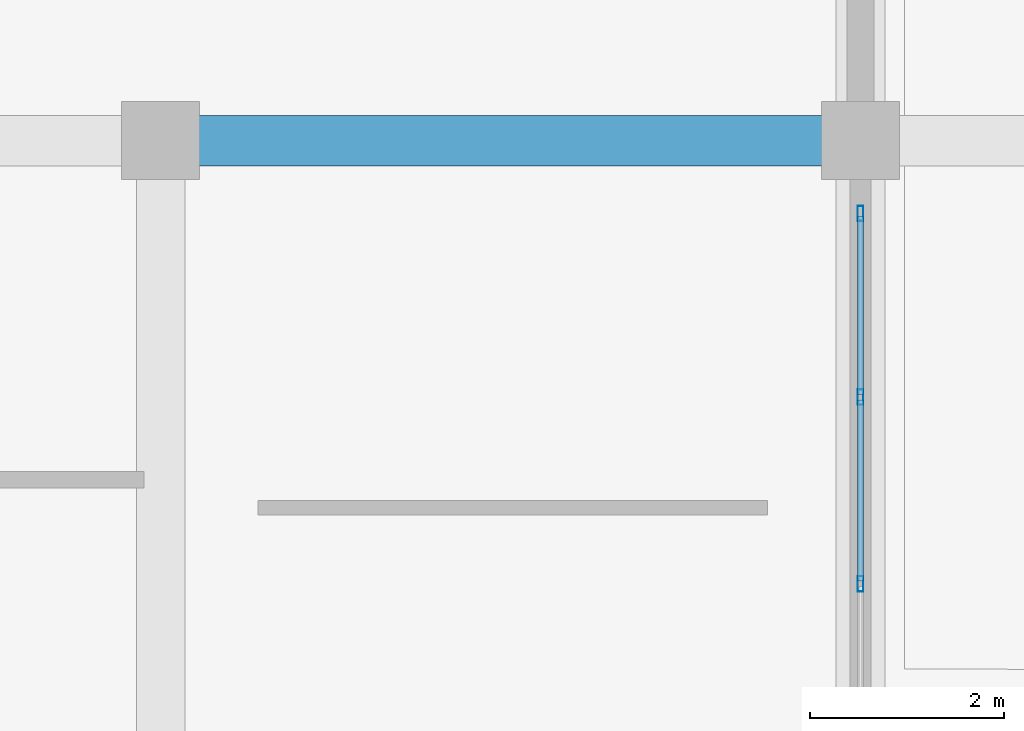
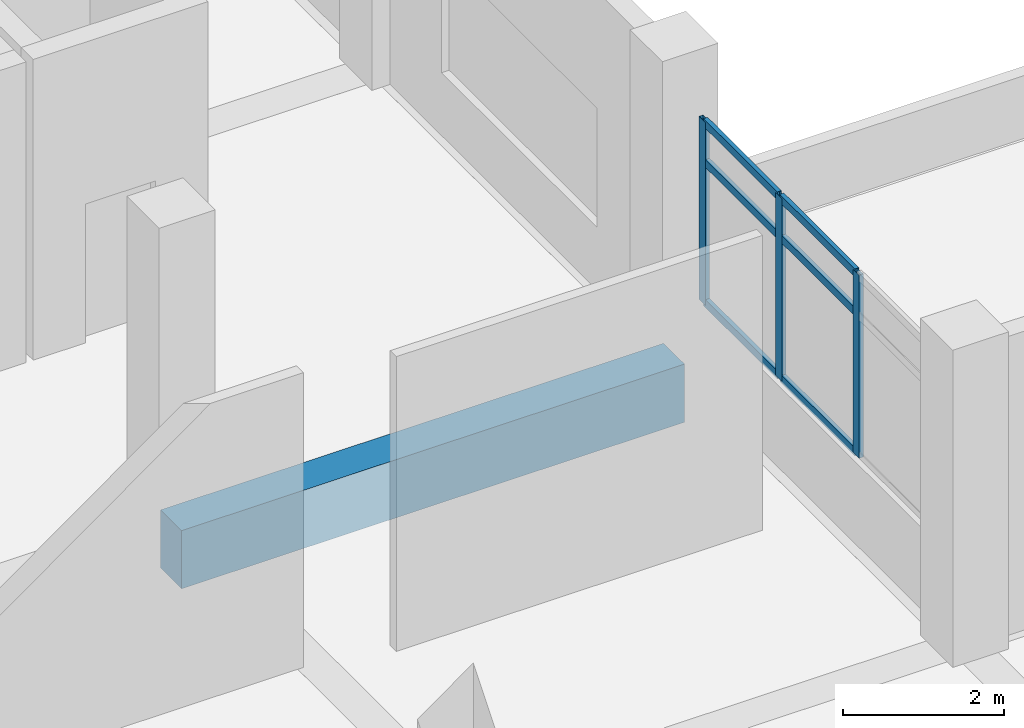
# One storey, part 48 of 140: 9 members, 1 beam, 1 element without a shape of its own.
"""IFC4 building model written with IfcOpenShell, lengths in metres."""

from ifc_helpers import new_model, si_unit, direction, frame, origin, origin_2d, place, context, subcontext, project, spatial, rectangle, hollow_rectangle, extrude, material, layer, layer_set, material_profile, profile_set, type_object, element, aggregate, save


model = new_model("IFC4")

# Units and contexts
model_context = context("Model", 3, precision=1e-05, world=origin(), true_north=direction((0.0, 1.0)))
body_context = subcontext(model_context, "Body", "Model", "MODEL_VIEW")
ifc_project = project(units=[si_unit("LENGTHUNIT", "METRE"), si_unit("AREAUNIT", "SQUARE_METRE"), si_unit("VOLUMEUNIT", "CUBIC_METRE"), si_unit("PLANEANGLEUNIT", "RADIAN"), si_unit("MASSUNIT", "GRAM", prefix="KILO")], contexts=[model_context])

# Site, building, storey
site_placement = place(None, origin())
site = spatial("IfcSite", under=ifc_project, at=site_placement, CompositionType="ELEMENT")
building_placement = place(site_placement, origin())
building = spatial("IfcBuilding", under=site, at=building_placement, Name="Seraya Terrace Polytechnic", CompositionType="ELEMENT")
storey_placement = place(building_placement, frame((0.0, 0.0, 9.60009765625)))
storey = spatial("IfcBuildingStorey", under=building, at=storey_placement, Name="L02", CompositionType="ELEMENT", Elevation=9.60009765625)

# Beam
ifc_material_1 = material(Name="Concrete C40/50", Category="concrete")
ifc_material_profile_1 = material_profile(ifc_material_1, rectangle(XDim=0.52001953125, YDim=0.8798828125, at=origin_2d()), Name="RC 520x880")
ifc_profile_set_1 = profile_set([ifc_material_profile_1], Name="Concrete C40/50")
beam_type = type_object("IfcBeamType", Name="BM-04", PredefinedType="BEAM", material=ifc_profile_set_1)
beam_placement = place(storey_placement, frame((100.800048828125, 36.0, -0.440185546875), z_axis=(1.0, 0.0, 0.0), x_axis=(0.0, 1.0, 0.0)))
element("IfcBeam", 1, at=beam_placement, inside=storey, type_object=beam_type, Name="Beam BM-04 L02 X (100.8..108.0, 36.0)", PredefinedType="BEAM", context=body_context, shape_type="SweptSolid", body=[
    extrude(rectangle(XDim=0.52001953125, YDim=0.8798828125, at=origin_2d()), origin(), (0.0, 0.0, 1.0), 7.199951171875),
])

# Curtain wall, members
ifc_material_2 = material(Name="Anodised aluminium EN AW-6063 T6", Category="aluminium")
ifc_layer = layer(ifc_material_2, 0.179931640625, Name="CW-26")
ifc_layer_set = layer_set([ifc_layer], Name="Anodised aluminium EN AW-6063 T6")
curtain_wall_type = type_object("IfcCurtainWallType", Name="CW-26", PredefinedType="NOTDEFINED", material=ifc_layer_set)
curtain_wall_placement = place(storey_placement, origin())
curtain_wall = element("IfcCurtainWall", 2, at=curtain_wall_placement, inside=storey, type_object=curtain_wall_type, Name="Unitised curtain wall CW-26 (CW-L02-062)", PredefinedType="NOTDEFINED")
ifc_material_profile_2 = material_profile(ifc_material_2, hollow_rectangle(XDim=0.06005859375, YDim=0.159912109375, WallThickness=0.00341796875, at=origin_2d()), Name="RHS 160x60x3.5")
ifc_profile_set_2 = profile_set([ifc_material_profile_2], Name="Anodised aluminium EN AW-6063 T6")
member_type_1 = type_object("IfcMemberType", Name="CWM-02", PredefinedType="MULLION", material=ifc_profile_set_2)
member_1_placement = place(storey_placement, frame((108.0, 35.25, 1.239990234375), z_axis=(0.0, 0.0, 1.0), x_axis=(1.0, 0.0, 0.0)))
member_1 = element("IfcMember", 3, at=member_1_placement, type_object=member_type_1, Name="CW-26 mullion 1", PredefinedType="MULLION", context=body_context, shape_type="SweptSolid", body=[
    extrude(hollow_rectangle(XDim=0.06005859375, YDim=0.159912109375, WallThickness=0.00341796875, at=origin_2d()), origin(), (0.0, 0.0, 1.0), 2.77001953125),
])
member_2_placement = place(storey_placement, frame((108.0, 33.360107421875, 1.239990234375), z_axis=(0.0, 0.0, 1.0), x_axis=(1.0, 0.0, 0.0)))
member_2 = element("IfcMember", 4, at=member_2_placement, type_object=member_type_1, Name="CW-26 mullion 2", PredefinedType="MULLION", context=body_context, shape_type="SweptSolid", body=[
    extrude(hollow_rectangle(XDim=0.06005859375, YDim=0.159912109375, WallThickness=0.00341796875, at=origin_2d()), origin(), (0.0, 0.0, 1.0), 2.77001953125),
])
member_3_placement = place(storey_placement, frame((108.0, 31.43994140625, 1.239990234375), z_axis=(0.0, 0.0, 1.0), x_axis=(1.0, 0.0, 0.0)))
member_3 = element("IfcMember", 5, at=member_3_placement, type_object=member_type_1, Name="CW-26 mullion 3", PredefinedType="MULLION", context=body_context, shape_type="SweptSolid", body=[
    extrude(hollow_rectangle(XDim=0.06005859375, YDim=0.159912109375, WallThickness=0.00341796875, at=origin_2d()), origin(), (0.0, 0.0, 1.0), 2.77001953125),
])
ifc_material_profile_3 = material_profile(ifc_material_2, hollow_rectangle(XDim=0.06005859375, YDim=0.1201171875, WallThickness=0.003173828125, at=origin_2d()), Name="RHS 120x60x3.2")
ifc_profile_set_3 = profile_set([ifc_material_profile_3], Name="Anodised aluminium EN AW-6063 T6")
member_type_2 = type_object("IfcMemberType", Name="CWT-02", PredefinedType="USERDEFINED", material=ifc_profile_set_3)
member_4_placement = place(storey_placement, frame((108.0, 35.219970703125, 1.27001953125), z_axis=(0.0, -1.0, 0.0), x_axis=(1.0, 0.0, 0.0)))
member_4 = element("IfcMember", 6, at=member_4_placement, type_object=member_type_2, Name="CW-26 transom 1.1", ObjectType="TRANSOM", PredefinedType="USERDEFINED", context=body_context, shape_type="SweptSolid", body=[
    extrude(hollow_rectangle(XDim=0.06005859375, YDim=0.1201171875, WallThickness=0.003173828125, at=origin_2d()), origin(), (0.0, 0.0, 1.0), 1.830078125),
])
member_5_placement = place(storey_placement, frame((108.0, 35.219970703125, 3.389892578125), z_axis=(0.0, -1.0, 0.0), x_axis=(1.0, 0.0, 0.0)))
member_5 = element("IfcMember", 7, at=member_5_placement, type_object=member_type_2, Name="CW-26 transom 1.2", ObjectType="TRANSOM", PredefinedType="USERDEFINED", context=body_context, shape_type="SweptSolid", body=[
    extrude(hollow_rectangle(XDim=0.06005859375, YDim=0.1201171875, WallThickness=0.003173828125, at=origin_2d()), origin(), (0.0, 0.0, 1.0), 1.830078125),
])
member_6_placement = place(storey_placement, frame((108.0, 35.219970703125, 3.97998046875), z_axis=(0.0, -1.0, 0.0), x_axis=(1.0, 0.0, 0.0)))
member_6 = element("IfcMember", 8, at=member_6_placement, type_object=member_type_2, Name="CW-26 transom 1.3", ObjectType="TRANSOM", PredefinedType="USERDEFINED", context=body_context, shape_type="SweptSolid", body=[
    extrude(hollow_rectangle(XDim=0.06005859375, YDim=0.1201171875, WallThickness=0.003173828125, at=origin_2d()), origin(), (0.0, 0.0, 1.0), 1.830078125),
])
member_7_placement = place(storey_placement, frame((108.0, 33.330078125, 1.27001953125), z_axis=(0.0, -1.0, 0.0), x_axis=(1.0, 0.0, 0.0)))
member_7 = element("IfcMember", 9, at=member_7_placement, type_object=member_type_2, Name="CW-26 transom 2.1", ObjectType="TRANSOM", PredefinedType="USERDEFINED", context=body_context, shape_type="SweptSolid", body=[
    extrude(hollow_rectangle(XDim=0.06005859375, YDim=0.1201171875, WallThickness=0.003173828125, at=origin_2d()), origin(), (0.0, 0.0, 1.0), 1.860107421875),
])
member_8_placement = place(storey_placement, frame((108.0, 33.330078125, 3.389892578125), z_axis=(0.0, -1.0, 0.0), x_axis=(1.0, 0.0, 0.0)))
member_8 = element("IfcMember", 10, at=member_8_placement, type_object=member_type_2, Name="CW-26 transom 2.2", ObjectType="TRANSOM", PredefinedType="USERDEFINED", context=body_context, shape_type="SweptSolid", body=[
    extrude(hollow_rectangle(XDim=0.06005859375, YDim=0.1201171875, WallThickness=0.003173828125, at=origin_2d()), origin(), (0.0, 0.0, 1.0), 1.860107421875),
])
member_9_placement = place(storey_placement, frame((108.0, 33.330078125, 3.97998046875), z_axis=(0.0, -1.0, 0.0), x_axis=(1.0, 0.0, 0.0)))
member_9 = element("IfcMember", 11, at=member_9_placement, type_object=member_type_2, Name="CW-26 transom 2.3", ObjectType="TRANSOM", PredefinedType="USERDEFINED", context=body_context, shape_type="SweptSolid", body=[
    extrude(hollow_rectangle(XDim=0.06005859375, YDim=0.1201171875, WallThickness=0.003173828125, at=origin_2d()), origin(), (0.0, 0.0, 1.0), 1.860107421875),
])
aggregate(curtain_wall, [member_1, member_2, member_3, member_4, member_5, member_6, member_7, member_8, member_9])

save(model, "model.ifc")
